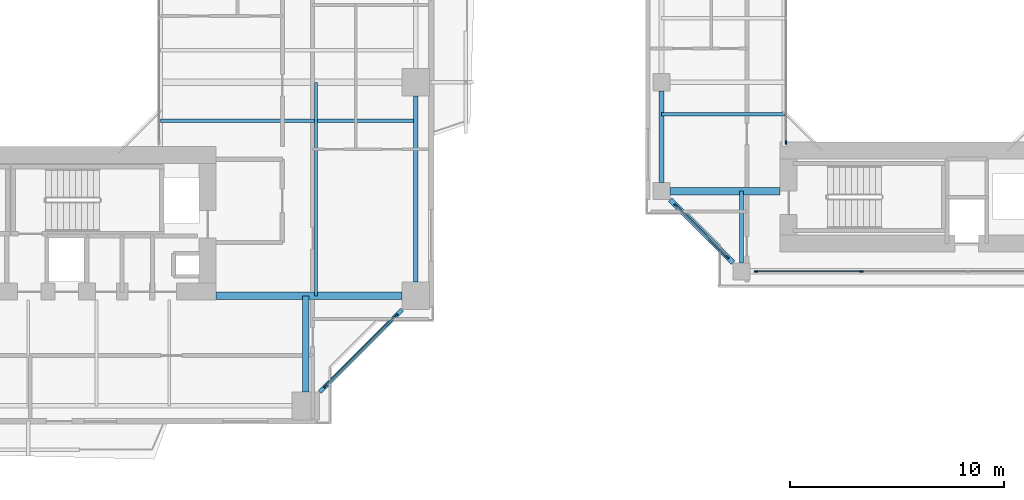
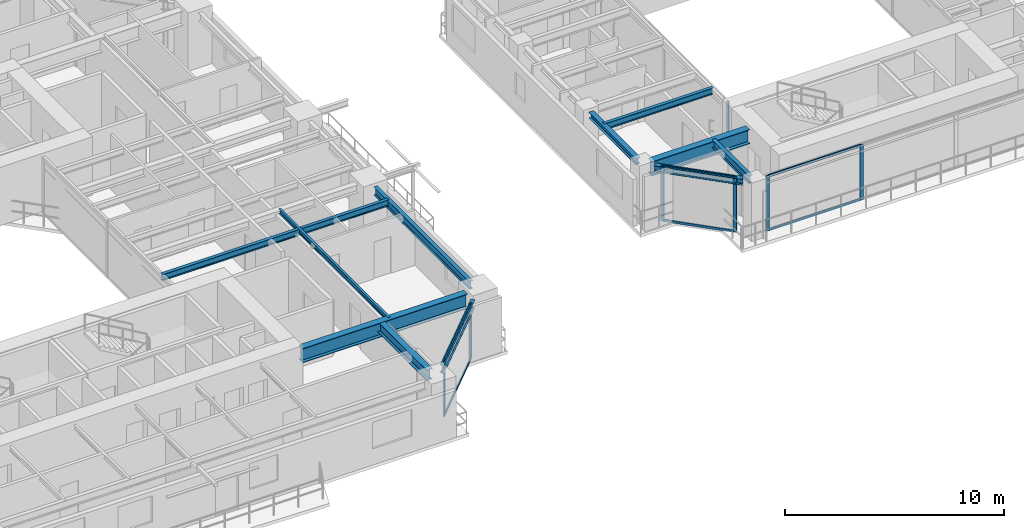
# One storey, part 5 of 23: 13 members, 11 beams, 4 elements without a shape of their own.
"""IFC4 building model written with IfcOpenShell, lengths in metres."""

from ifc_helpers import new_model, si_unit, direction, frame, origin, origin_2d, place, context, subcontext, project, spatial, rectangle, i_section, extrude, source, transform, mapped, material, layer, layer_set, material_profile, profile_set, type_object, element, aggregate, save


model = new_model("IFC4")

# Units and contexts
model_context = context("Model", 3, precision=1e-05, world=origin(), true_north=direction((0.0, 1.0)))
body_context = subcontext(model_context, "Body", "Model", "MODEL_VIEW")
ifc_project = project(units=[si_unit("LENGTHUNIT", "METRE"), si_unit("AREAUNIT", "SQUARE_METRE"), si_unit("VOLUMEUNIT", "CUBIC_METRE"), si_unit("PLANEANGLEUNIT", "RADIAN"), si_unit("MASSUNIT", "GRAM", prefix="KILO"), si_unit("THERMODYNAMICTEMPERATUREUNIT", "KELVIN"), si_unit("POWERUNIT", "WATT")], contexts=[model_context])

# Site, building, storey
site_placement = place(None, origin())
site = spatial("IfcSite", under=ifc_project, at=site_placement, CompositionType="ELEMENT")
building_placement = place(site_placement, origin())
building = spatial("IfcBuilding", under=site, at=building_placement, Name="Qiaomeng Ring Towers", CompositionType="ELEMENT")
storey_placement = place(building_placement, frame((0.0, 0.0, 76.25)))
storey = spatial("IfcBuildingStorey", under=building, at=storey_placement, Name="L21", CompositionType="ELEMENT", Elevation=76.25)

# Beams
ifc_material_1 = material(Name="Steel Q355B", Category="steel")
ifc_material_profile_1 = material_profile(ifc_material_1, i_section(OverallWidth=0.199951171875, OverallDepth=0.449951171875, WebThickness=0.009033203125, FlangeThickness=0.013916015625, FilletRadius=0.01806640625, at=origin_2d()), Name="HN 450x200x9x14")
ifc_profile_set_1 = profile_set([ifc_material_profile_1], Name="Steel Q355B")
beam_type_1 = type_object("IfcBeamType", Name="STR-BM-HN450", PredefinedType="SPANDREL", material=ifc_profile_set_1)
shared_shape_1 = source(origin(), body_context, "Body", "SweptSolid", [
    extrude(i_section(OverallWidth=0.199951171875, OverallDepth=0.449951171875, WebThickness=0.009033203125, FlangeThickness=0.013916015625, FilletRadius=0.01806640625, at=origin_2d()), origin(), (0.0, 0.0, 1.0), 5.446533203125),
])
beam_1_placement = place(storey_placement, frame((32.6494140625, 5.499267578125, 2.844970703125), z_axis=(0.707106781187, 0.707106781187, 0.0), x_axis=(-0.707106781187, 0.707106781187, 0.0)))
element("IfcBeam", 1, at=beam_1_placement, inside=storey, type_object=beam_type_1, Name="L21 beam STR-SP-L21-T1-S2-E1", PredefinedType="SPANDREL", context=body_context, shape_type="MappedRepresentation", body=[
    mapped(shared_shape_1, transform((0.0, 0.0, 0.0), x_axis=(1.0, 0.0, 0.0), y_axis=(0.0, 1.0, 0.0), z_axis=(0.0, 0.0, 1.0), scale=1.0)),
])
shared_shape_2 = source(origin(), body_context, "Body", "SweptSolid", [
    extrude(i_section(OverallWidth=0.199951171875, OverallDepth=0.449951171875, WebThickness=0.009033203125, FlangeThickness=0.013916015625, FilletRadius=0.01806640625, at=origin_2d()), origin(), (0.0, 0.0, 1.0), 8.7021484375),
])
beam_2_placement = place(storey_placement, frame((37.14990234375, 10.64892578125, 2.844970703125), z_axis=(0.0, 1.0, 0.0), x_axis=(-1.0, 0.0, 0.0)))
element("IfcBeam", 2, at=beam_2_placement, inside=storey, type_object=beam_type_1, Name="L21 beam STR-SP-L21-T1-E1-E2", PredefinedType="SPANDREL", context=body_context, shape_type="MappedRepresentation", body=[
    mapped(shared_shape_2, transform((0.0, 0.0, 0.0), x_axis=(1.0, 0.0, 0.0), y_axis=(0.0, 1.0, 0.0), z_axis=(0.0, 0.0, 1.0), scale=1.0)),
])
ifc_material_2 = material(Name="Steel Q390GJC", Category="steel")
ifc_material_profile_2 = material_profile(ifc_material_2, i_section(OverallWidth=0.35009765625, OverallDepth=0.800048828125, WebThickness=0.01611328125, FlangeThickness=0.028076171875, at=origin_2d()), Name="WH 800x350x16x28")
ifc_profile_set_2 = profile_set([ifc_material_profile_2], Name="Steel Q390GJC")
beam_type_2 = type_object("IfcBeamType", Name="STR-BM-WH800", PredefinedType="BEAM", material=ifc_profile_set_2)
shared_shape_3 = source(origin(), body_context, "Body", "SweptSolid", [
    extrude(i_section(OverallWidth=0.35009765625, OverallDepth=0.800048828125, WebThickness=0.01611328125, FlangeThickness=0.028076171875, at=origin_2d()), origin(), (0.0, 0.0, 1.0), 8.700927734375),
])
beam_3_placement = place(storey_placement, frame((27.800048828125, 10.0, 2.669921875), z_axis=(1.0, 0.0, 0.0), x_axis=(0.0, 1.0, 0.0)))
element("IfcBeam", 3, at=beam_3_placement, inside=storey, type_object=beam_type_2, Name="L21 beam STR-BM-L21-T1-RAD-E1", PredefinedType="BEAM", context=body_context, shape_type="MappedRepresentation", body=[
    mapped(shared_shape_3, transform((0.0, 0.0, 0.0), x_axis=(1.0, 0.0, 0.0), y_axis=(0.0, 1.0, 0.0), z_axis=(0.0, 0.0, 1.0), scale=1.0)),
])
ifc_material_profile_3 = material_profile(ifc_material_1, i_section(OverallWidth=0.300048828125, OverallDepth=0.587890625, WebThickness=0.011962890625, FlangeThickness=0.02001953125, FilletRadius=0.028076171875, at=origin_2d()), Name="HM 588x300x12x20")
ifc_profile_set_3 = profile_set([ifc_material_profile_3], Name="Steel Q355B")
beam_type_3 = type_object("IfcBeamType", Name="STR-BM-HM588", PredefinedType="BEAM", material=ifc_profile_set_3)
shared_shape_4 = source(origin(), body_context, "Body", "SweptSolid", [
    extrude(i_section(OverallWidth=0.300048828125, OverallDepth=0.587890625, WebThickness=0.011962890625, FlangeThickness=0.02001953125, FilletRadius=0.028076171875, at=origin_2d()), origin(), (0.0, 0.0, 1.0), 4.5009765625),
])
beam_4_placement = place(storey_placement, frame((32.0, 5.4990234375, 2.77587890625), z_axis=(0.0, 1.0, 0.0), x_axis=(-1.0, 0.0, 0.0)))
element("IfcBeam", 4, at=beam_4_placement, inside=storey, type_object=beam_type_3, Name="L21 beam STR-BM-L21-T1-RAD-S2", PredefinedType="BEAM", context=body_context, shape_type="MappedRepresentation", body=[
    mapped(shared_shape_4, transform((0.0, 0.0, 0.0), x_axis=(1.0, 0.0, 0.0), y_axis=(0.0, 1.0, 0.0), z_axis=(0.0, 0.0, 1.0), scale=1.0)),
])
ifc_material_profile_4 = material_profile(ifc_material_1, i_section(OverallWidth=0.175048828125, OverallDepth=0.35009765625, WebThickness=0.007080078125, FlangeThickness=0.010986328125, FilletRadius=0.013916015625, at=origin_2d()), Name="HN 350x175x7x11")
ifc_profile_set_4 = profile_set([ifc_material_profile_4], Name="Steel Q355B")
beam_type_4 = type_object("IfcBeamType", Name="STR-BM-HN350", PredefinedType="JOIST", material=ifc_profile_set_4)
shared_shape_5 = source(origin(), body_context, "Body", "SweptSolid", [
    extrude(i_section(OverallWidth=0.175048828125, OverallDepth=0.35009765625, WebThickness=0.007080078125, FlangeThickness=0.010986328125, FilletRadius=0.013916015625, at=origin_2d()), origin(), (0.0, 0.0, 1.0), 11.949951171875),
])
beam_5_placement = place(storey_placement, frame((25.199951171875, 18.199951171875, 2.89501953125), z_axis=(1.0, 0.0, 0.0), x_axis=(0.0, 1.0, 0.0)))
element("IfcBeam", 5, at=beam_5_placement, inside=storey, type_object=beam_type_4, Name="L21 beam STR-JST-L21-T1E-1", PredefinedType="JOIST", context=body_context, shape_type="MappedRepresentation", body=[
    mapped(shared_shape_5, transform((0.0, 0.0, 0.0), x_axis=(1.0, 0.0, 0.0), y_axis=(0.0, 1.0, 0.0), z_axis=(0.0, 0.0, 1.0), scale=1.0)),
])
ifc_material_profile_5 = material_profile(ifc_material_1, i_section(OverallWidth=0.125, OverallDepth=0.25, WebThickness=0.006103515625, FlangeThickness=0.009033203125, FilletRadius=0.011962890625, at=origin_2d()), Name="HN 250x125x6x9")
ifc_profile_set_5 = profile_set([ifc_material_profile_5], Name="Steel Q355B")
beam_type_5 = type_object("IfcBeamType", Name="STR-BM-HN250", PredefinedType="JOIST", material=ifc_profile_set_5)
shared_shape_6 = source(origin(), body_context, "Body", "SweptSolid", [
    extrude(i_section(OverallWidth=0.125, OverallDepth=0.25, WebThickness=0.006103515625, FlangeThickness=0.009033203125, FilletRadius=0.011962890625, at=origin_2d()), origin(), (0.0, 0.0, 1.0), 10.0),
])
beam_6_placement = place(storey_placement, frame((32.47509765625, 10.0, 2.945068359375), z_axis=(0.0, 1.0, 0.0), x_axis=(-1.0, 0.0, 0.0)))
element("IfcBeam", 6, at=beam_6_placement, inside=storey, type_object=beam_type_5, Name="L21 beam STR-JST-L21-T1C-ES", PredefinedType="JOIST", context=body_context, shape_type="MappedRepresentation", body=[
    mapped(shared_shape_6, transform((0.0, 0.0, 0.0), x_axis=(1.0, 0.0, 0.0), y_axis=(0.0, 1.0, 0.0), z_axis=(0.0, 0.0, 1.0), scale=1.0)),
])
ifc_material_profile_6 = material_profile(ifc_material_1, i_section(OverallWidth=0.25, OverallDepth=0.340087890625, WebThickness=0.009033203125, FlangeThickness=0.013916015625, FilletRadius=0.02001953125, at=origin_2d()), Name="HM 340x250x9x14")
ifc_profile_set_6 = profile_set([ifc_material_profile_6], Name="Steel Q355B")
beam_type_6 = type_object("IfcBeamType", Name="STR-BM-HM340", PredefinedType="SPANDREL", material=ifc_profile_set_6)
shared_shape_7 = source(origin(), body_context, "Body", "SweptSolid", [
    extrude(i_section(OverallWidth=0.25, OverallDepth=0.340087890625, WebThickness=0.009033203125, FlangeThickness=0.013916015625, FilletRadius=0.02001953125, at=origin_2d()), origin(), (0.0, 0.0, 1.0), 4.173828125),
])
beam_7_placement = place(storey_placement, frame((49.04931640625, 14.500732421875, 2.89990234375), z_axis=(0.707106781187, -0.707106781187, 0.0), x_axis=(0.707106781187, 0.707106781187, 0.0)))
element("IfcBeam", 7, at=beam_7_placement, inside=storey, type_object=beam_type_6, Name="L21 beam STR-SP-L21-T2-W1-S1", PredefinedType="SPANDREL", context=body_context, shape_type="MappedRepresentation", body=[
    mapped(shared_shape_7, transform((0.0, 0.0, 0.0), x_axis=(1.0, 0.0, 0.0), y_axis=(0.0, 1.0, 0.0), z_axis=(0.0, 0.0, 1.0), scale=1.0)),
])
shared_shape_8 = source(origin(), body_context, "Body", "SweptSolid", [
    extrude(i_section(OverallWidth=0.25, OverallDepth=0.340087890625, WebThickness=0.009033203125, FlangeThickness=0.013916015625, FilletRadius=0.02001953125, at=origin_2d()), origin(), (0.0, 0.0, 1.0), 4.302001953125),
])
beam_8_placement = place(storey_placement, frame((48.64990234375, 19.60107421875, 2.89990234375), z_axis=(0.0, -1.0, 0.0), x_axis=(1.0, 0.0, 0.0)))
element("IfcBeam", 8, at=beam_8_placement, inside=storey, type_object=beam_type_6, Name="L21 beam STR-SP-L21-T2-W2-W1", PredefinedType="SPANDREL", context=body_context, shape_type="MappedRepresentation", body=[
    mapped(shared_shape_8, transform((0.0, 0.0, 0.0), x_axis=(1.0, 0.0, 0.0), y_axis=(0.0, 1.0, 0.0), z_axis=(0.0, 0.0, 1.0), scale=1.0)),
])
shared_shape_9 = source(origin(), body_context, "Body", "SweptSolid", [
    extrude(i_section(OverallWidth=0.35009765625, OverallDepth=0.800048828125, WebThickness=0.01611328125, FlangeThickness=0.028076171875, at=origin_2d()), origin(), (0.0, 0.0, 1.0), 5.15087890625),
])
beam_9_placement = place(storey_placement, frame((49.049072265625, 14.89990234375, 2.669921875), z_axis=(1.0, 0.0, 0.0), x_axis=(0.0, 1.0, 0.0)))
element("IfcBeam", 9, at=beam_9_placement, inside=storey, type_object=beam_type_2, Name="L21 beam STR-BM-L21-T2-RAD-W1", PredefinedType="BEAM", context=body_context, shape_type="MappedRepresentation", body=[
    mapped(shared_shape_9, transform((0.0, 0.0, 0.0), x_axis=(1.0, 0.0, 0.0), y_axis=(0.0, 1.0, 0.0), z_axis=(0.0, 0.0, 1.0), scale=1.0)),
])
shared_shape_10 = source(origin(), body_context, "Body", "SweptSolid", [
    extrude(i_section(OverallWidth=0.199951171875, OverallDepth=0.449951171875, WebThickness=0.009033203125, FlangeThickness=0.013916015625, FilletRadius=0.01806640625, at=origin_2d()), origin(), (0.0, 0.0, 1.0), 3.350830078125),
])
beam_10_placement = place(storey_placement, frame((52.39990234375, 11.549072265625, 2.844970703125), z_axis=(0.0, 1.0, 0.0), x_axis=(-1.0, 0.0, 0.0)))
element("IfcBeam", 10, at=beam_10_placement, inside=storey, type_object=beam_type_1, Name="L21 beam STR-BM-L21-T2-RAD-S1", PredefinedType="SPANDREL", context=body_context, shape_type="MappedRepresentation", body=[
    mapped(shared_shape_10, transform((0.0, 0.0, 0.0), x_axis=(1.0, 0.0, 0.0), y_axis=(0.0, 1.0, 0.0), z_axis=(0.0, 0.0, 1.0), scale=1.0)),
])
shared_shape_11 = source(origin(), body_context, "Body", "SweptSolid", [
    extrude(i_section(OverallWidth=0.175048828125, OverallDepth=0.35009765625, WebThickness=0.007080078125, FlangeThickness=0.010986328125, FilletRadius=0.013916015625, at=origin_2d()), origin(), (0.0, 0.0, 1.0), 5.75),
])
beam_11_placement = place(storey_placement, frame((48.64990234375, 18.5, 2.89501953125), z_axis=(1.0, 0.0, 0.0), x_axis=(0.0, 1.0, 0.0)))
element("IfcBeam", 11, at=beam_11_placement, inside=storey, type_object=beam_type_4, Name="L21 beam STR-JST-L21-T2W-1", PredefinedType="JOIST", context=body_context, shape_type="MappedRepresentation", body=[
    mapped(shared_shape_11, transform((0.0, 0.0, 0.0), x_axis=(1.0, 0.0, 0.0), y_axis=(0.0, 1.0, 0.0), z_axis=(0.0, 0.0, 1.0), scale=1.0)),
])

# Curtain wall, member
ifc_material_3 = material(Name="Fluorocarbon dark-grey aluminium", Category="aluminium")
ifc_layer_1 = layer(ifc_material_3, 0.139892578125, Name="Fluorocarbon dark-grey aluminium")
ifc_layer_set_1 = layer_set([ifc_layer_1], Name="Fluorocarbon dark-grey aluminium")
curtain_wall_type_1 = type_object("IfcCurtainWallType", Name="ARC-CW-4", PredefinedType="NOTDEFINED", material=ifc_layer_set_1)
curtain_wall_1_placement = place(storey_placement, origin())
curtain_wall_1 = element("IfcCurtainWall", 12, at=curtain_wall_1_placement, inside=storey, type_object=curtain_wall_type_1, Name="L21 Curtain Wall CW4", PredefinedType="NOTDEFINED")
ifc_material_profile_7 = material_profile(ifc_material_3, rectangle(XDim=0.06494140625, YDim=0.159912109375, at=origin_2d()), Name="ALU MULL 65x160")
ifc_profile_set_7 = profile_set([ifc_material_profile_7], Name="Fluorocarbon dark-grey aluminium")
member_type_1 = type_object("IfcMemberType", Name="ARC-CWM-140", PredefinedType="MULLION", material=ifc_profile_set_7)
shared_shape_12 = source(origin(), body_context, "Body", "SweptSolid", [
    extrude(rectangle(XDim=0.06494140625, YDim=0.159912109375, at=origin_2d()), origin(), (0.0, 0.0, 1.0), 3.070068359375),
])
member_1_placement = place(storey_placement, frame((54.47998046875, 17.1826171875, 0.0), z_axis=(0.0, 0.0, 1.0), x_axis=(-1.0, 0.0, 0.0)))
member_1 = element("IfcMember", 13, at=member_1_placement, type_object=member_type_1, Name="CW4 mullion 1", PredefinedType="MULLION", context=body_context, shape_type="MappedRepresentation", body=[
    mapped(shared_shape_12, transform((0.0, 0.0, 0.0), x_axis=(1.0, 0.0, 0.0), y_axis=(0.0, 1.0, 0.0), z_axis=(0.0, 0.0, 1.0), scale=1.0)),
])
aggregate(curtain_wall_1, [member_1])

# Curtain wall, members
ifc_layer_2 = layer(ifc_material_3, 0.159912109375, Name="Fluorocarbon dark-grey aluminium")
ifc_layer_set_2 = layer_set([ifc_layer_2], Name="Fluorocarbon dark-grey aluminium")
curtain_wall_type_2 = type_object("IfcCurtainWallType", Name="ARC-CW-2", PredefinedType="NOTDEFINED", material=ifc_layer_set_2)
curtain_wall_2_placement = place(storey_placement, origin())
curtain_wall_2 = element("IfcCurtainWall", 14, at=curtain_wall_2_placement, inside=storey, type_object=curtain_wall_type_2, Name="L21 Curtain Wall CW2", PredefinedType="NOTDEFINED")
ifc_material_profile_8 = material_profile(ifc_material_3, rectangle(XDim=0.070068359375, YDim=0.179931640625, at=origin_2d()), Name="ALU MULL 70x180")
ifc_profile_set_8 = profile_set([ifc_material_profile_8], Name="Fluorocarbon dark-grey aluminium")
member_type_2 = type_object("IfcMemberType", Name="ARC-CWM-160", PredefinedType="MULLION", material=ifc_profile_set_8)
shared_shape_13 = source(origin(), body_context, "Body", "SweptSolid", [
    extrude(rectangle(XDim=0.070068359375, YDim=0.179931640625, at=origin_2d()), origin(), (0.0, 0.0, 1.0), 3.070068359375),
])
member_2_placement = place(storey_placement, frame((32.914794921875, 5.7646484375, 0.0), z_axis=(0.0, 0.0, 1.0), x_axis=(-0.707106781187, 0.707106781187, 0.0)))
member_2 = element("IfcMember", 15, at=member_2_placement, type_object=member_type_2, Name="CW2 mullion 1", PredefinedType="MULLION", context=body_context, shape_type="MappedRepresentation", body=[
    mapped(shared_shape_13, transform((0.0, 0.0, 0.0), x_axis=(1.0, 0.0, 0.0), y_axis=(0.0, 1.0, 0.0), z_axis=(0.0, 0.0, 1.0), scale=1.0)),
])
member_3_placement = place(storey_placement, frame((36.2353515625, 9.085205078125, 0.0), z_axis=(0.0, 0.0, 1.0), x_axis=(-0.707106781187, 0.707106781187, 0.0)))
member_3 = element("IfcMember", 16, at=member_3_placement, type_object=member_type_2, Name="CW2 mullion 2", PredefinedType="MULLION", context=body_context, shape_type="MappedRepresentation", body=[
    mapped(shared_shape_13, transform((0.0, 0.0, 0.0), x_axis=(1.0, 0.0, 0.0), y_axis=(0.0, 1.0, 0.0), z_axis=(0.0, 0.0, 1.0), scale=1.0)),
])

ifc_layer_3 = layer(ifc_material_3, 0.14990234375, Name="Fluorocarbon dark-grey aluminium")
ifc_layer_set_3 = layer_set([ifc_layer_3], Name="Fluorocarbon dark-grey aluminium")
curtain_wall_type_3 = type_object("IfcCurtainWallType", Name="ARC-CW-5", PredefinedType="NOTDEFINED", material=ifc_layer_set_3)
curtain_wall_3_placement = place(storey_placement, origin())
curtain_wall_3 = element("IfcCurtainWall", 17, at=curtain_wall_3_placement, inside=storey, type_object=curtain_wall_type_3, Name="L21 Curtain Wall CW5", PredefinedType="NOTDEFINED")
member_4_placement = place(storey_placement, frame((49.314697265625, 14.2353515625, 0.0), z_axis=(0.0, 0.0, 1.0), x_axis=(0.707106781187, 0.707106781187, 0.0)))
member_4 = element("IfcMember", 18, at=member_4_placement, type_object=member_type_2, Name="CW5 mullion 1", PredefinedType="MULLION", context=body_context, shape_type="MappedRepresentation", body=[
    mapped(shared_shape_13, transform((0.0, 0.0, 0.0), x_axis=(1.0, 0.0, 0.0), y_axis=(0.0, 1.0, 0.0), z_axis=(0.0, 0.0, 1.0), scale=1.0)),
])
member_5_placement = place(storey_placement, frame((51.7353515625, 11.814697265625, 0.0), z_axis=(0.0, 0.0, 1.0), x_axis=(0.707106781187, 0.707106781187, 0.0)))
member_5 = element("IfcMember", 19, at=member_5_placement, type_object=member_type_2, Name="CW5 mullion 2", PredefinedType="MULLION", context=body_context, shape_type="MappedRepresentation", body=[
    mapped(shared_shape_13, transform((0.0, 0.0, 0.0), x_axis=(1.0, 0.0, 0.0), y_axis=(0.0, 1.0, 0.0), z_axis=(0.0, 0.0, 1.0), scale=1.0)),
])

curtain_wall_4_placement = place(storey_placement, origin())
curtain_wall_4 = element("IfcCurtainWall", 20, at=curtain_wall_4_placement, inside=storey, type_object=curtain_wall_type_3, Name="L21 Curtain Wall CW5", PredefinedType="NOTDEFINED")
member_6_placement = place(storey_placement, frame((53.074951171875, 11.14990234375, 0.0), z_axis=(0.0, 0.0, 1.0), x_axis=(0.0, 1.0, 0.0)))
member_6 = element("IfcMember", 21, at=member_6_placement, type_object=member_type_2, Name="CW5 mullion 1", PredefinedType="MULLION", context=body_context, shape_type="MappedRepresentation", body=[
    mapped(shared_shape_13, transform((0.0, 0.0, 0.0), x_axis=(1.0, 0.0, 0.0), y_axis=(0.0, 1.0, 0.0), z_axis=(0.0, 0.0, 1.0), scale=1.0)),
])
member_7_placement = place(storey_placement, frame((58.013427734375, 11.14990234375, 0.0), z_axis=(0.0, 0.0, 1.0), x_axis=(0.0, 1.0, 0.0)))
member_7 = element("IfcMember", 22, at=member_7_placement, type_object=member_type_2, Name="CW5 mullion 2", PredefinedType="MULLION", context=body_context, shape_type="MappedRepresentation", body=[
    mapped(shared_shape_13, transform((0.0, 0.0, 0.0), x_axis=(1.0, 0.0, 0.0), y_axis=(0.0, 1.0, 0.0), z_axis=(0.0, 0.0, 1.0), scale=1.0)),
])

# Member
ifc_material_profile_9 = material_profile(ifc_material_3, rectangle(XDim=0.06494140625, YDim=0.1298828125, at=origin_2d()), Name="ALU TRAN 65x130")
ifc_profile_set_9 = profile_set([ifc_material_profile_9], Name="Fluorocarbon dark-grey aluminium")
member_type_3 = type_object("IfcMemberType", Name="ARC-CWT-120", PredefinedType="USERDEFINED", material=ifc_profile_set_9)
shared_shape_14 = source(origin(), body_context, "Body", "SweptSolid", [
    extrude(rectangle(XDim=0.06494140625, YDim=0.1298828125, at=origin_2d()), origin(), (0.0, 0.0, 1.0), 4.6259765625),
])
member_8_placement = place(storey_placement, frame((32.939453125, 5.78955078125, 0.032470703125), z_axis=(0.707106781187, 0.707106781187, 0.0), x_axis=(-0.707106781187, 0.707106781187, 0.0)))
member_8 = element("IfcMember", 23, at=member_8_placement, type_object=member_type_3, Name="CW2 transom 1.1", ObjectType="TRANSOM", PredefinedType="USERDEFINED", context=body_context, shape_type="MappedRepresentation", body=[
    mapped(shared_shape_14, transform((0.0, 0.0, 0.0), x_axis=(1.0, 0.0, 0.0), y_axis=(0.0, 1.0, 0.0), z_axis=(0.0, 0.0, 1.0), scale=1.0)),
])

member_9_placement = place(storey_placement, frame((32.939453125, 5.78955078125, 3.03759765625), z_axis=(0.707106781187, 0.707106781187, 0.0), x_axis=(-0.707106781187, 0.707106781187, 0.0)))
member_9 = element("IfcMember", 24, at=member_9_placement, type_object=member_type_3, Name="CW2 transom 1.2", ObjectType="TRANSOM", PredefinedType="USERDEFINED", context=body_context, shape_type="MappedRepresentation", body=[
    mapped(shared_shape_14, transform((0.0, 0.0, 0.0), x_axis=(1.0, 0.0, 0.0), y_axis=(0.0, 1.0, 0.0), z_axis=(0.0, 0.0, 1.0), scale=1.0)),
])

aggregate(curtain_wall_2, [member_2, member_3, member_8, member_9])

shared_shape_15 = source(origin(), body_context, "Body", "SweptSolid", [
    extrude(rectangle(XDim=0.06494140625, YDim=0.1298828125, at=origin_2d()), origin(), (0.0, 0.0, 1.0), 4.8681640625),
])
member_10_placement = place(storey_placement, frame((53.110107421875, 11.14990234375, 0.032470703125), z_axis=(1.0, 0.0, 0.0), x_axis=(0.0, 1.0, 0.0)))
member_10 = element("IfcMember", 25, at=member_10_placement, type_object=member_type_3, Name="CW5 transom 1.1", ObjectType="TRANSOM", PredefinedType="USERDEFINED", context=body_context, shape_type="MappedRepresentation", body=[
    mapped(shared_shape_15, transform((0.0, 0.0, 0.0), x_axis=(1.0, 0.0, 0.0), y_axis=(0.0, 1.0, 0.0), z_axis=(0.0, 0.0, 1.0), scale=1.0)),
])

member_11_placement = place(storey_placement, frame((53.110107421875, 11.14990234375, 3.03759765625), z_axis=(1.0, 0.0, 0.0), x_axis=(0.0, 1.0, 0.0)))
member_11 = element("IfcMember", 26, at=member_11_placement, type_object=member_type_3, Name="CW5 transom 1.2", ObjectType="TRANSOM", PredefinedType="USERDEFINED", context=body_context, shape_type="MappedRepresentation", body=[
    mapped(shared_shape_15, transform((0.0, 0.0, 0.0), x_axis=(1.0, 0.0, 0.0), y_axis=(0.0, 1.0, 0.0), z_axis=(0.0, 0.0, 1.0), scale=1.0)),
])

aggregate(curtain_wall_4, [member_6, member_7, member_10, member_11])

shared_shape_16 = source(origin(), body_context, "Body", "SweptSolid", [
    extrude(rectangle(XDim=0.06494140625, YDim=0.1298828125, at=origin_2d()), origin(), (0.0, 0.0, 1.0), 3.352783203125),
])
member_12_placement = place(storey_placement, frame((49.339599609375, 14.21044921875, 0.032470703125), z_axis=(0.707106781187, -0.707106781187, 0.0), x_axis=(0.707106781187, 0.707106781187, 0.0)))
member_12 = element("IfcMember", 27, at=member_12_placement, type_object=member_type_3, Name="CW5 transom 1.1", ObjectType="TRANSOM", PredefinedType="USERDEFINED", context=body_context, shape_type="MappedRepresentation", body=[
    mapped(shared_shape_16, transform((0.0, 0.0, 0.0), x_axis=(1.0, 0.0, 0.0), y_axis=(0.0, 1.0, 0.0), z_axis=(0.0, 0.0, 1.0), scale=1.0)),
])

member_13_placement = place(storey_placement, frame((49.339599609375, 14.21044921875, 3.03759765625), z_axis=(0.707106781187, -0.707106781187, 0.0), x_axis=(0.707106781187, 0.707106781187, 0.0)))
member_13 = element("IfcMember", 28, at=member_13_placement, type_object=member_type_3, Name="CW5 transom 1.2", ObjectType="TRANSOM", PredefinedType="USERDEFINED", context=body_context, shape_type="MappedRepresentation", body=[
    mapped(shared_shape_16, transform((0.0, 0.0, 0.0), x_axis=(1.0, 0.0, 0.0), y_axis=(0.0, 1.0, 0.0), z_axis=(0.0, 0.0, 1.0), scale=1.0)),
])

aggregate(curtain_wall_3, [member_4, member_5, member_12, member_13])

save(model, "model.ifc")
